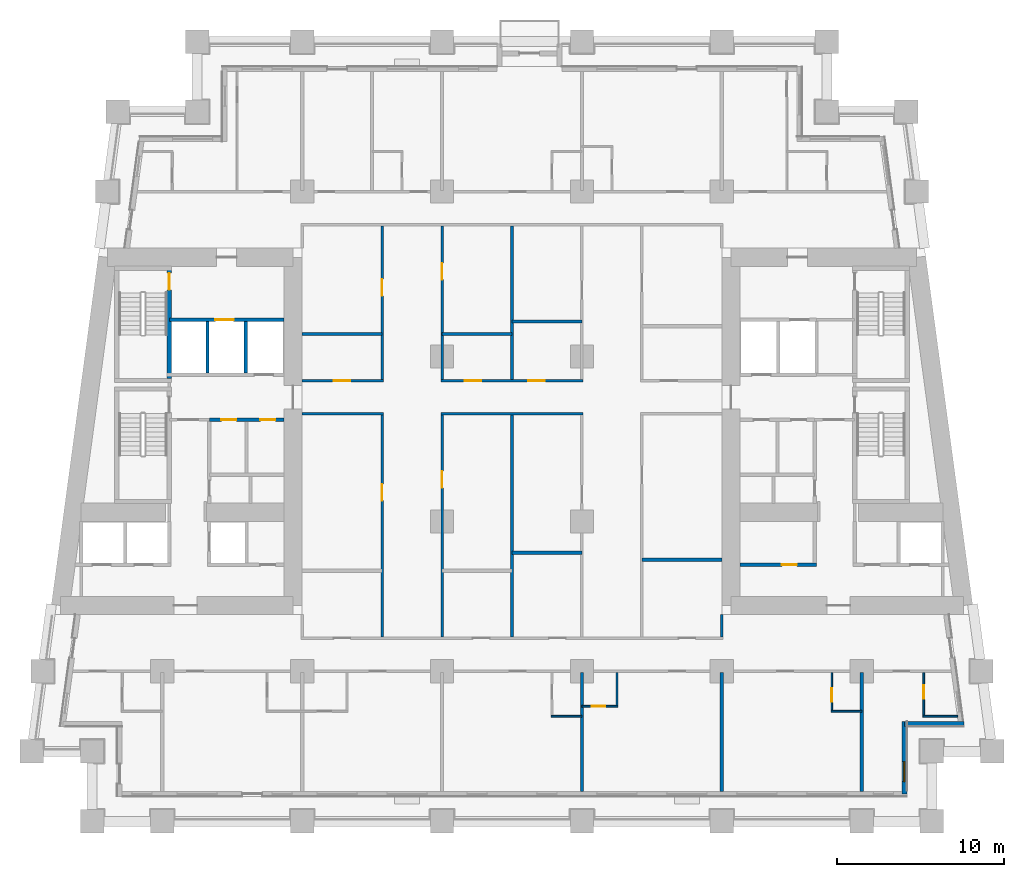
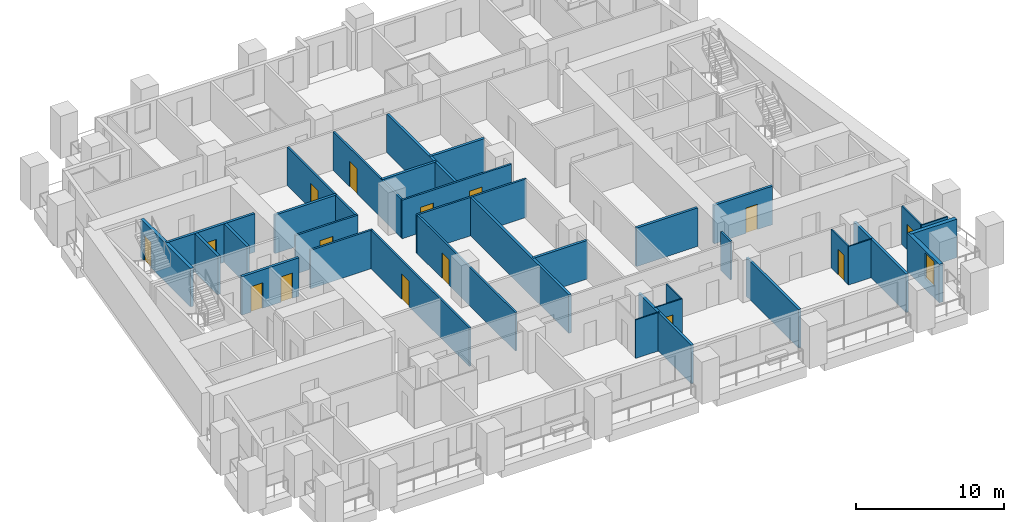
# One storey, part 4 of 13: 34 walls, 15 doors, 1 window, 16 openings.
"""IFC4 building model written with IfcOpenShell, lengths in metres."""

import ifcopenshell
import ifcopenshell.guid

model = None  # the IFC model being written
_history = None  # IfcOwnerHistory: only IFC2X3 demands one
_inside = {}  # id of a spatial element -> (the spatial element, [elements in it])
_under = {}  # id of a project, library or spatial element -> (it, [spatial elements below it])
_declared = {}  # id of a project -> (the project, [libraries it declares])
_typed = {}  # id of a type object -> (the type object, [elements of that type])
_made_of = {}  # id of a material, layer set ... -> (it, [elements and type objects made of it])


def new_model(schema):
    """Start an empty IFC model of exactly this schema.

    Asked for "IFC4X3", IfcOpenShell would pick the latest addendum, in which some entities
    have other attributes; the version numbers below select the first issue.
    IFC2X3 requires an IfcOwnerHistory on every rooted entity: one is made here for all.
    """
    global model, _history
    if schema == "IFC4X3":
        model = ifcopenshell.file(schema_version=(4, 3, 0, 0))
    else:
        model = ifcopenshell.file(schema=schema)
    _inside.clear()
    _under.clear()
    _declared.clear()
    _typed.clear()
    _made_of.clear()
    _history = None
    if model.schema == "IFC2X3":
        org = make("IfcOrganization", Name="unknown")
        user = make(
            "IfcPersonAndOrganization",
            ThePerson=make("IfcPerson", FamilyName="unknown"),
            TheOrganization=org,
        )
        app = make(
            "IfcApplication",
            ApplicationDeveloper=org,
            Version="unknown",
            ApplicationFullName="unknown",
            ApplicationIdentifier="unknown",
        )
        _history = make(
            "IfcOwnerHistory",
            OwningUser=user,
            OwningApplication=app,
            ChangeAction="ADDED",
            CreationDate=0,
        )
    return model


def make(cls, **values):
    """One entity of the class cls with the attributes given. An attribute that is None is left unset."""
    return model.create_entity(
        cls, **{name: value for name, value in values.items() if value is not None}
    )


def rooted(cls, **values):
    """An entity with a GlobalId (a new one), such as an element, a storey or a relation."""
    return make(cls, GlobalId=ifcopenshell.guid.new(), OwnerHistory=_history, **values)


def si_unit(unit_type, name, prefix=None):
    """IfcSIUnit, for example si_unit("LENGTHUNIT", "METRE", prefix="MILLI")."""
    return make("IfcSIUnit", UnitType=unit_type, Prefix=prefix, Name=name)


def assignment(units):
    """IfcUnitAssignment: the units of a project."""
    return None if units is None else make("IfcUnitAssignment", Units=units)


def point(xyz):
    """IfcCartesianPoint."""
    return None if xyz is None else make("IfcCartesianPoint", Coordinates=xyz)


def direction(xyz):
    """IfcDirection."""
    return None if xyz is None else make("IfcDirection", DirectionRatios=xyz)


def frame(location, z_axis=None, x_axis=None):
    """IfcAxis2Placement3D, a coordinate frame: its origin and axes. An axis left out is left unset."""
    return make(
        "IfcAxis2Placement3D",
        Location=point(location),
        Axis=direction(z_axis),
        RefDirection=direction(x_axis),
    )


def frame_2d(location, x_axis=None):
    """IfcAxis2Placement2D, a coordinate frame in the plane: its origin and x axis."""
    return make(
        "IfcAxis2Placement2D", Location=point(location), RefDirection=direction(x_axis)
    )


def origin():
    """The frame at (0, 0, 0) with its axes left unset."""
    return frame((0.0, 0.0, 0.0))


def place(relative_to, where):
    """IfcLocalPlacement: puts the frame where relative to a parent placement (None: the world)."""
    return make(
        "IfcLocalPlacement", PlacementRelTo=relative_to, RelativePlacement=where
    )


def context(
    kind, dimensions, precision=None, world=None, true_north=None, identifier=None
):
    """IfcGeometricRepresentationContext, for example the 3D "Model" context."""
    return make(
        "IfcGeometricRepresentationContext",
        ContextIdentifier=identifier,
        ContextType=kind,
        CoordinateSpaceDimension=dimensions,
        Precision=precision,
        WorldCoordinateSystem=world,
        TrueNorth=true_north,
    )


def subcontext(parent, identifier, kind, view, scale=None):
    """IfcGeometricRepresentationSubContext, for example "Body" below "Model"."""
    return make(
        "IfcGeometricRepresentationSubContext",
        ContextIdentifier=identifier,
        ContextType=kind,
        ParentContext=parent,
        TargetScale=scale,
        TargetView=view,
    )


def project(units=None, contexts=None):
    """IfcProject with its units and contexts."""
    return rooted(
        "IfcProject",
        Name="project",
        RepresentationContexts=contexts,
        UnitsInContext=assignment(units),
    )


def spatial(cls, under=None, at=None, **own):
    """A site, building, storey or space (cls), placed at a placement, below another one or the project."""
    s = rooted(cls, ObjectPlacement=at, **own)
    if under is not None:
        _under.setdefault(under.id(), (under, []))[1].append(s)
    return s


def profile(cls, at=None, kind="AREA", **sizes):
    """A parametric profile (cls). Its sizes go by their IFC names, for example OverallWidth=200.0."""
    return make(cls, ProfileType=kind, Position=at, **sizes)


def rectangle(**sizes):
    """IfcRectangleProfileDef."""
    return profile("IfcRectangleProfileDef", **sizes)


def extrude(swept, where, along, depth):
    """IfcExtrudedAreaSolid: the profile swept, set in the frame where, extruded along a direction by depth."""
    return make(
        "IfcExtrudedAreaSolid",
        SweptArea=swept,
        Position=where,
        ExtrudedDirection=direction(along),
        Depth=depth,
    )


def shape(context_of_items, identifier, shape_type, items):
    """IfcShapeRepresentation: the items that make up one representation, for example the "Body"."""
    return make(
        "IfcShapeRepresentation",
        ContextOfItems=context_of_items,
        RepresentationIdentifier=identifier,
        RepresentationType=shape_type,
        Items=items,
    )


def material(Name=None, Category=None):
    """IfcMaterial."""
    return make("IfcMaterial", Name=Name, Category=Category)


def layer(
    of_material, thickness, ventilated=None, Name=None, Category=None, Priority=None
):
    """IfcMaterialLayer: one layer of a wall or slab, of a material (None: an air gap)."""
    return make(
        "IfcMaterialLayer",
        Material=of_material,
        LayerThickness=thickness,
        IsVentilated=ventilated,
        Name=Name,
        Category=Category,
        Priority=Priority,
    )


def layer_set(layers, Name=None):
    """IfcMaterialLayerSet."""
    return make("IfcMaterialLayerSet", MaterialLayers=layers, LayerSetName=Name)


def made_of(thing, what):
    """Note that an element or type object is made of a material, layer set ...; save() writes the relation."""
    if what is not None:
        _made_of.setdefault(what.id(), (what, []))[1].append(thing)
    return thing


def type_object(cls, material=None, **own):
    """A type object (cls), such as IfcWallType, which elements share."""
    return made_of(rooted(cls, **own), material)


def element(
    cls,
    number,
    at=None,
    inside=None,
    cuts=None,
    type_object=None,
    material=None,
    context=None,
    identifier="Body",
    shape_type=None,
    held_by="IfcProductDefinitionShape",
    body=None,
    shapes=None,
    **own,
):
    """One element of the class cls, such as IfcWall. Its Tag is "e" and its number.

    at: its placement. inside: the storey or other place that contains it. cuts: it is an
    opening in that element (IfcRelVoidsElement). A single representation is given by context,
    identifier, shape_type and body (its items); several are given by shapes. held_by: the class
    of the entity that holds the representations. save() writes the other relations.
    """
    e = rooted(cls, Tag="e%d" % number, ObjectPlacement=at, **own)
    if body is not None:
        shapes = [shape(context, identifier, shape_type, body)]
    if shapes is not None:
        e.Representation = make(held_by, Representations=shapes)
    if inside is not None:
        _inside.setdefault(inside.id(), (inside, []))[1].append(e)
    if cuts is not None:
        rooted(
            "IfcRelVoidsElement", RelatingBuildingElement=cuts, RelatedOpeningElement=e
        )
    if type_object is not None:
        _typed.setdefault(type_object.id(), (type_object, []))[1].append(e)
    return made_of(e, material)


def fill(opening, filler):
    """IfcRelFillsElement: the door or window that sits in an opening."""
    return rooted(
        "IfcRelFillsElement",
        RelatingOpeningElement=opening,
        RelatedBuildingElement=filler,
    )


def aggregate(whole, parts):
    """IfcRelAggregates: a whole, such as a stair, and the parts it consists of."""
    return rooted("IfcRelAggregates", RelatingObject=whole, RelatedObjects=parts)


def save(model, path):
    """Write the relations noted so far, then the file.

    IfcRelAggregates (storeys below a building ...), IfcRelContainedInSpatialStructure (elements
    in a storey), IfcRelDefinesByType, IfcRelAssociatesMaterial and IfcRelDeclares: one each for
    every whole, place, type object, material and project.
    """
    for whole, parts in _under.values():
        aggregate(whole, parts)
    for where, things in _inside.values():
        rooted(
            "IfcRelContainedInSpatialStructure",
            RelatedElements=things,
            RelatingStructure=where,
        )
    for kind, things in _typed.values():
        rooted("IfcRelDefinesByType", RelatedObjects=things, RelatingType=kind)
    for what, things in _made_of.values():
        rooted("IfcRelAssociatesMaterial", RelatedObjects=things, RelatingMaterial=what)
    for by, libraries in _declared.values():
        rooted("IfcRelDeclares", RelatingContext=by, RelatedDefinitions=libraries)
    model.write(path)


model = new_model("IFC4")

# Units and contexts
model_context = context("Model", 3, precision=1e-05, world=origin(), true_north=direction((0.0, 1.0)))
body_context = subcontext(model_context, "Body", "Model", "MODEL_VIEW")
ifc_project = project(units=[si_unit("LENGTHUNIT", "METRE"), si_unit("AREAUNIT", "SQUARE_METRE"), si_unit("VOLUMEUNIT", "CUBIC_METRE"), si_unit("PLANEANGLEUNIT", "RADIAN"), si_unit("MASSUNIT", "GRAM", prefix="KILO")], contexts=[model_context])

# Site, building, storey
site_placement = place(None, origin())
site = spatial("IfcSite", under=ifc_project, at=site_placement, CompositionType="ELEMENT")
building_placement = place(site_placement, origin())
building = spatial("IfcBuilding", under=site, at=building_placement, Name="Candeia Pilgrim Tower and Theatre", CompositionType="ELEMENT")
storey_placement = place(building_placement, frame((0.0, 0.0, 56.5)))
storey = spatial("IfcBuildingStorey", under=building, at=storey_placement, Name="L11", CompositionType="ELEMENT", Elevation=56.5)

# Wall, opening, window
ifc_material_1 = material(Name="Ceramic block masonry", Category="masonry")
ifc_layer_1 = layer(ifc_material_1, 0.300048828125)
ifc_layer_set_1 = layer_set([ifc_layer_1], Name="EW1 glazing-line wall 300")
wall_type_1 = type_object("IfcWallType", Name="EW1 glazing-line wall 300", PredefinedType="SOLIDWALL", material=ifc_layer_set_1)
wall_1_placement = place(storey_placement, frame((136.949951171875, 99.64990234375, 0.0), z_axis=(0.0, 0.0, 1.0), x_axis=(0.0, 1.0, 0.0)))
wall_1 = element("IfcWall", 1, at=wall_1_placement, inside=storey, type_object=wall_type_1, Name="External wall L11-1.0", PredefinedType="SOLIDWALL", context=body_context, shape_type="SweptSolid", body=[
    extrude(rectangle(XDim=4.35009765625, YDim=0.300048828125, at=frame_2d((2.175048828125, 0.0))), origin(), (0.0, 0.0, 1.0), 3.179931640625),
])
opening_1_placement = place(wall_1_placement, frame((0.72509765625, 0.0, 0.89990234375)))
opening_1 = element("IfcOpeningElement", 2, at=opening_1_placement, cuts=wall_1, Name="Opening W-B", PredefinedType="OPENING", context=body_context, shape_type="SweptSolid", body=[
    extrude(rectangle(XDim=1.199951171875, YDim=2.10009765625, at=frame_2d((0.60009765625, 1.050048828125))), frame((0.0, 0.16015625, 0.0), z_axis=(0.0, -1.0, 0.0), x_axis=(1.0, 0.0, 0.0)), (0.0, 0.0, 1.0), 0.320068359375),
])
ifc_material_2 = material(Name="Aluminium framed double glazing", Category="aluminium")
window_type = type_object("IfcWindowType", Name="W-B window 1200x2100", PartitioningType="SINGLE_PANEL", PredefinedType="WINDOW", material=ifc_material_2)
window_placement = place(opening_1_placement, origin())
window = element("IfcWindow", 3, at=window_placement, inside=storey, type_object=window_type, Name="Window W-B L11", OverallHeight=2.10009765625, OverallWidth=1.199951171875, PartitioningType="SINGLE_PANEL", PredefinedType="WINDOW", context=body_context, shape_type="SweptSolid", body=[
    extrude(rectangle(XDim=1.199951171875, YDim=2.10009765625, at=frame_2d((0.60009765625, 1.050048828125))), frame((0.0, 0.030029296875, 0.0), z_axis=(0.0, -1.0, 0.0), x_axis=(1.0, 0.0, 0.0)), (0.0, 0.0, 1.0), 0.06005859375),
])
fill(opening_1, window)

# Walls
wall_2_placement = place(storey_placement, frame((136.949951171875, 103.85009765625, 0.0), z_axis=(0.0, 0.0, 1.0), x_axis=(1.0, 0.0, 0.0)))
element("IfcWall", 4, at=wall_2_placement, inside=storey, type_object=wall_type_1, Name="External wall L11-2.0", PredefinedType="SOLIDWALL", context=body_context, shape_type="SweptSolid", body=[
    extrude(rectangle(XDim=3.569091796875, YDim=0.300048828125, at=frame_2d((1.78466796875, 0.0))), origin(), (0.0, 0.0, 1.0), 3.179931640625),
])
ifc_material_3 = material(Name="Gypsum board partition on steel studs", Category="steel")
ifc_layer_2 = layer(ifc_material_3, 0.10009765625)
ifc_layer_set_2 = layer_set([ifc_layer_2], Name="PW-100 room partition")
wall_type_2 = type_object("IfcWallType", Name="PW-100 room partition", PredefinedType="PARTITIONING", material=ifc_layer_set_2)
wall_3_placement = place(storey_placement, frame((115.75, 104.300048828125, 0.0), z_axis=(0.0, 0.0, 1.0), x_axis=(1.0, 0.0, 0.0)))
element("IfcWall", 5, at=wall_3_placement, inside=storey, type_object=wall_type_2, Name="Room partition L11-001", PredefinedType="PARTITIONING", context=body_context, shape_type="SweptSolid", body=[
    extrude(rectangle(XDim=1.85009765625, YDim=0.10009765625, at=frame_2d((0.925048828125, 0.0))), origin(), (0.0, 0.0, 1.0), 3.179931640625),
])
wall_4_placement = place(storey_placement, frame((138.070068359375, 104.300048828125, 0.0), z_axis=(0.0, 0.0, 1.0), x_axis=(1.0, 0.0, 0.0)))
element("IfcWall", 6, at=wall_4_placement, inside=storey, type_object=wall_type_2, Name="Room partition L11-002", PredefinedType="PARTITIONING", context=body_context, shape_type="SweptSolid", body=[
    extrude(rectangle(XDim=2.07568359375, YDim=0.10009765625, at=frame_2d((1.037841796875, 0.0))), origin(), (0.0, 0.0, 1.0), 3.179931640625),
])
wall_5_placement = place(storey_placement, frame((132.550048828125, 104.60009765625, 0.0), z_axis=(0.0, 0.0, 1.0), x_axis=(1.0, 0.0, 0.0)))
element("IfcWall", 7, at=wall_5_placement, inside=storey, type_object=wall_type_2, Name="Room partition L11-005", PredefinedType="PARTITIONING", context=body_context, shape_type="SweptSolid", body=[
    extrude(rectangle(XDim=1.849853515625, YDim=0.10009765625, at=frame_2d((0.9248046875, 0.0))), origin(), (0.0, 0.0, 1.0), 3.179931640625),
])

# Wall, opening, door
wall_6_placement = place(storey_placement, frame((117.60009765625, 104.89990234375, 0.0), z_axis=(0.0, 0.0, 1.0), x_axis=(1.0, 0.0, 0.0)))
wall_6 = element("IfcWall", 8, at=wall_6_placement, inside=storey, type_object=wall_type_2, Name="Room partition L11-006", PredefinedType="PARTITIONING", context=body_context, shape_type="SweptSolid", body=[
    extrude(rectangle(XDim=2.14990234375, YDim=0.10009765625, at=frame_2d((1.074951171875, 0.0))), origin(), (0.0, 0.0, 1.0), 3.179931640625),
])
opening_2_placement = place(wall_6_placement, frame((0.590087890625, 0.0, 0.0)))
opening_2 = element("IfcOpeningElement", 9, at=opening_2_placement, cuts=wall_6, Name="Opening L11-D025", PredefinedType="OPENING", context=body_context, shape_type="SweptSolid", body=[
    extrude(rectangle(XDim=0.800048828125, YDim=2.10009765625, at=frame_2d((0.39990234375, 1.050048828125))), frame((0.0, 0.06005859375, 0.0), z_axis=(0.0, -1.0, 0.0), x_axis=(1.0, 0.0, 0.0)), (0.0, 0.0, 1.0), 0.1201171875),
])
ifc_material_4 = material(Name="Timber door leaf", Category="wood")
door_type_1 = type_object("IfcDoorType", Name="D-800", OperationType="NOTDEFINED", PredefinedType="DOOR", material=ifc_material_4)
door_1_placement = place(opening_2_placement, origin())
door_1 = element("IfcDoor", 10, at=door_1_placement, inside=storey, type_object=door_type_1, Name="Door L11-D025", OperationType="SINGLE_SWING_RIGHT", OverallHeight=2.10009765625, OverallWidth=0.800048828125, PredefinedType="DOOR", context=body_context, shape_type="SweptSolid", body=[
    extrude(rectangle(XDim=0.800048828125, YDim=2.10009765625, at=frame_2d((0.39990234375, 1.050048828125))), frame((0.0, 0.02490234375, 0.0), z_axis=(0.0, -1.0, 0.0), x_axis=(1.0, 0.0, 0.0)), (0.0, 0.0, 1.0), 0.050048828125),
])
fill(opening_2, door_1)

# Wall
wall_7_placement = place(storey_placement, frame((119.699951171875, 104.949951171875, 0.0), z_axis=(0.0, 0.0, 1.0), x_axis=(0.0, 1.0, 0.0)))
element("IfcWall", 11, at=wall_7_placement, inside=storey, type_object=wall_type_2, Name="Room partition L11-099", PredefinedType="PARTITIONING", context=body_context, shape_type="SweptSolid", body=[
    extrude(rectangle(XDim=1.97509765625, YDim=0.10009765625, at=frame_2d((0.987548828125, 0.0))), origin(), (0.0, 0.0, 1.0), 3.179931640625),
])

# Wall, opening, door
wall_8_placement = place(storey_placement, frame((132.60009765625, 104.64990234375, 0.0), z_axis=(0.0, 0.0, 1.0), x_axis=(0.0, 1.0, 0.0)))
wall_8 = element("IfcWall", 12, at=wall_8_placement, inside=storey, type_object=wall_type_2, Name="Room partition L11-115", PredefinedType="PARTITIONING", context=body_context, shape_type="SweptSolid", body=[
    extrude(rectangle(XDim=2.275146484375, YDim=0.10009765625, at=frame_2d((1.1376953125, 0.0))), origin(), (0.0, 0.0, 1.0), 3.179931640625),
])
opening_3_placement = place(wall_8_placement, frame((0.52490234375, 0.0, 0.0)))
opening_3 = element("IfcOpeningElement", 13, at=opening_3_placement, cuts=wall_8, Name="Opening L11-D027", PredefinedType="OPENING", context=body_context, shape_type="SweptSolid", body=[
    extrude(rectangle(XDim=0.800048828125, YDim=2.10009765625, at=frame_2d((0.39990234375, 1.050048828125))), frame((0.0, 0.06005859375, 0.0), z_axis=(0.0, -1.0, 0.0), x_axis=(1.0, 0.0, 0.0)), (0.0, 0.0, 1.0), 0.1201171875),
])
door_2_placement = place(opening_3_placement, origin())
door_2 = element("IfcDoor", 14, at=door_2_placement, inside=storey, type_object=door_type_1, Name="Door L11-D027", OperationType="SINGLE_SWING_RIGHT", OverallHeight=2.10009765625, OverallWidth=0.800048828125, PredefinedType="DOOR", context=body_context, shape_type="SweptSolid", body=[
    extrude(rectangle(XDim=0.800048828125, YDim=2.10009765625, at=frame_2d((0.39990234375, 1.050048828125))), frame((0.0, 0.02490234375, 0.0), z_axis=(0.0, -1.0, 0.0), x_axis=(1.0, 0.0, 0.0)), (0.0, 0.0, 1.0), 0.050048828125),
])
fill(opening_3, door_2)

wall_9_placement = place(storey_placement, frame((138.1201171875, 104.35009765625, 0.0), z_axis=(0.0, 0.0, 1.0), x_axis=(0.0, 1.0, 0.0)))
wall_9 = element("IfcWall", 15, at=wall_9_placement, inside=storey, type_object=wall_type_2, Name="Room partition L11-125", PredefinedType="PARTITIONING", context=body_context, shape_type="SweptSolid", body=[
    extrude(rectangle(XDim=2.574951171875, YDim=0.10009765625, at=frame_2d((1.28759765625, 0.0))), origin(), (0.0, 0.0, 1.0), 3.179931640625),
])
opening_4_placement = place(wall_9_placement, frame((1.02001953125, 0.0, 0.0)))
opening_4 = element("IfcOpeningElement", 16, at=opening_4_placement, cuts=wall_9, Name="Opening L11-D029", PredefinedType="OPENING", context=body_context, shape_type="SweptSolid", body=[
    extrude(rectangle(XDim=0.800048828125, YDim=2.10009765625, at=frame_2d((0.39990234375, 1.050048828125))), frame((0.0, 0.06005859375, 0.0), z_axis=(0.0, -1.0, 0.0), x_axis=(1.0, 0.0, 0.0)), (0.0, 0.0, 1.0), 0.1201171875),
])
door_3_placement = place(opening_4_placement, origin())
door_3 = element("IfcDoor", 17, at=door_3_placement, inside=storey, type_object=door_type_1, Name="Door L11-D029", OperationType="SINGLE_SWING_RIGHT", OverallHeight=2.10009765625, OverallWidth=0.800048828125, PredefinedType="DOOR", context=body_context, shape_type="SweptSolid", body=[
    extrude(rectangle(XDim=0.800048828125, YDim=2.10009765625, at=frame_2d((0.39990234375, 1.050048828125))), frame((0.0, 0.02490234375, 0.0), z_axis=(0.0, -1.0, 0.0), x_axis=(1.0, 0.0, 0.0)), (0.0, 0.0, 1.0), 0.050048828125),
])
fill(opening_4, door_3)

# Walls
ifc_layer_3 = layer(ifc_material_3, 0.14990234375)
ifc_layer_set_3 = layer_set([ifc_layer_3], Name="PW-150 unit wall")
wall_type_3 = type_object("IfcWallType", Name="PW-150 unit wall", PredefinedType="PARTITIONING", material=ifc_layer_set_3)
wall_10_placement = place(storey_placement, frame((100.800048828125, 122.449951171875, 0.0), z_axis=(0.0, 0.0, 1.0), x_axis=(1.0, 0.0, 0.0)))
element("IfcWall", 18, at=wall_10_placement, inside=storey, type_object=wall_type_3, Name="Unit wall L11-025", PredefinedType="PARTITIONING", context=body_context, shape_type="SweptSolid", body=[
    extrude(rectangle(XDim=4.875, YDim=0.14990234375, at=frame_2d((2.4375, 0.0))), origin(), (0.0, 0.0, 1.0), 3.179931640625),
])
wall_11_placement = place(storey_placement, frame((109.125, 122.449951171875, 0.0), z_axis=(0.0, 0.0, 1.0), x_axis=(1.0, 0.0, 0.0)))
element("IfcWall", 19, at=wall_11_placement, inside=storey, type_object=wall_type_3, Name="Unit wall L11-026", PredefinedType="PARTITIONING", context=body_context, shape_type="SweptSolid", body=[
    extrude(rectangle(XDim=8.550048828125, YDim=0.14990234375, at=frame_2d((4.27490234375, 0.0))), origin(), (0.0, 0.0, 1.0), 3.179931640625),
])

# Wall, opening, door
wall_12_placement = place(storey_placement, frame((100.800048828125, 124.449951171875, 0.0), z_axis=(0.0, 0.0, 1.0), x_axis=(1.0, 0.0, 0.0)))
wall_12 = element("IfcWall", 20, at=wall_12_placement, inside=storey, type_object=wall_type_3, Name="Unit wall L11-032", PredefinedType="PARTITIONING", context=body_context, shape_type="SweptSolid", body=[
    extrude(rectangle(XDim=4.875, YDim=0.14990234375, at=frame_2d((2.4375, 0.0))), origin(), (0.0, 0.0, 1.0), 3.179931640625),
])
opening_5_placement = place(wall_12_placement, frame((1.89990234375, 0.0, 0.0)))
opening_5 = element("IfcOpeningElement", 21, at=opening_5_placement, cuts=wall_12, Name="Opening L11-D045", PredefinedType="OPENING", context=body_context, shape_type="SweptSolid", body=[
    extrude(rectangle(XDim=1.0, YDim=2.10009765625, at=frame_2d((0.5, 1.050048828125))), frame((0.0, 0.0849609375, 0.0), z_axis=(0.0, -1.0, 0.0), x_axis=(1.0, 0.0, 0.0)), (0.0, 0.0, 1.0), 0.169921875),
])
ifc_material_5 = material(Name="Steel fire door set", Category="steel")
door_type_2 = type_object("IfcDoorType", Name="D-1000-FD30S", OperationType="NOTDEFINED", PredefinedType="DOOR", material=ifc_material_5)
door_4_placement = place(opening_5_placement, origin())
door_4 = element("IfcDoor", 22, at=door_4_placement, inside=storey, type_object=door_type_2, Name="Door L11-D045", OperationType="SINGLE_SWING_RIGHT", OverallHeight=2.10009765625, OverallWidth=1.0, PredefinedType="DOOR", context=body_context, shape_type="SweptSolid", body=[
    extrude(rectangle(XDim=1.0, YDim=2.10009765625, at=frame_2d((0.5, 1.050048828125))), frame((0.0, 0.02490234375, 0.0), z_axis=(0.0, -1.0, 0.0), x_axis=(1.0, 0.0, 0.0)), (0.0, 0.0, 1.0), 0.050048828125),
])
fill(opening_5, door_4)

# Wall, openings, doors
wall_13_placement = place(storey_placement, frame((109.125, 124.449951171875, 0.0), z_axis=(0.0, 0.0, 1.0), x_axis=(1.0, 0.0, 0.0)))
wall_13 = element("IfcWall", 23, at=wall_13_placement, inside=storey, type_object=wall_type_3, Name="Unit wall L11-033", PredefinedType="PARTITIONING", context=body_context, shape_type="SweptSolid", body=[
    extrude(rectangle(XDim=8.550048828125, YDim=0.14990234375, at=frame_2d((4.27490234375, 0.0))), origin(), (0.0, 0.0, 1.0), 3.179931640625),
])
opening_6_placement = place(wall_13_placement, frame((1.425048828125, 0.0, 0.0)))
opening_6 = element("IfcOpeningElement", 24, at=opening_6_placement, cuts=wall_13, Name="Opening L11-D049", PredefinedType="OPENING", context=body_context, shape_type="SweptSolid", body=[
    extrude(rectangle(XDim=1.0, YDim=2.10009765625, at=frame_2d((0.5, 1.050048828125))), frame((0.0, 0.0849609375, 0.0), z_axis=(0.0, -1.0, 0.0), x_axis=(1.0, 0.0, 0.0)), (0.0, 0.0, 1.0), 0.169921875),
])
opening_7_placement = place(wall_13_placement, frame((5.25, 0.0, 0.0)))
opening_7 = element("IfcOpeningElement", 25, at=opening_7_placement, cuts=wall_13, Name="Opening L11-D053", PredefinedType="OPENING", context=body_context, shape_type="SweptSolid", body=[
    extrude(rectangle(XDim=1.0, YDim=2.10009765625, at=frame_2d((0.5, 1.050048828125))), frame((0.0, 0.0849609375, 0.0), z_axis=(0.0, -1.0, 0.0), x_axis=(1.0, 0.0, 0.0)), (0.0, 0.0, 1.0), 0.169921875),
])
door_5_placement = place(opening_6_placement, origin())
door_5 = element("IfcDoor", 26, at=door_5_placement, inside=storey, type_object=door_type_2, Name="Door L11-D049", OperationType="SINGLE_SWING_RIGHT", OverallHeight=2.10009765625, OverallWidth=1.0, PredefinedType="DOOR", context=body_context, shape_type="SweptSolid", body=[
    extrude(rectangle(XDim=1.0, YDim=2.10009765625, at=frame_2d((0.5, 1.050048828125))), frame((0.0, 0.02490234375, 0.0), z_axis=(0.0, -1.0, 0.0), x_axis=(1.0, 0.0, 0.0)), (0.0, 0.0, 1.0), 0.050048828125),
])
fill(opening_6, door_5)
door_6_placement = place(opening_7_placement, origin())
door_6 = element("IfcDoor", 27, at=door_6_placement, inside=storey, type_object=door_type_2, Name="Door L11-D053", OperationType="SINGLE_SWING_RIGHT", OverallHeight=2.10009765625, OverallWidth=1.0, PredefinedType="DOOR", context=body_context, shape_type="SweptSolid", body=[
    extrude(rectangle(XDim=1.0, YDim=2.10009765625, at=frame_2d((0.5, 1.050048828125))), frame((0.0, 0.02490234375, 0.0), z_axis=(0.0, -1.0, 0.0), x_axis=(1.0, 0.0, 0.0)), (0.0, 0.0, 1.0), 0.050048828125),
])
fill(opening_7, door_6)

# Wall, opening, door
wall_14_placement = place(storey_placement, frame((105.60009765625, 109.074951171875, 0.0), z_axis=(0.0, 0.0, 1.0), x_axis=(0.0, 1.0, 0.0)))
wall_14 = element("IfcWall", 28, at=wall_14_placement, inside=storey, type_object=wall_type_3, Name="Unit wall L11-083", PredefinedType="PARTITIONING", context=body_context, shape_type="SweptSolid", body=[
    extrude(rectangle(XDim=13.300048828125, YDim=0.14990234375, at=frame_2d((6.64990234375, 0.0))), origin(), (0.0, 0.0, 1.0), 3.179931640625),
])
opening_8_placement = place(wall_14_placement, frame((8.1669921875, 0.0, 0.0)))
opening_8 = element("IfcOpeningElement", 29, at=opening_8_placement, cuts=wall_14, Name="Opening L11-D044", PredefinedType="OPENING", context=body_context, shape_type="SweptSolid", body=[
    extrude(rectangle(XDim=1.0, YDim=2.10009765625, at=frame_2d((0.5, 1.050048828125))), frame((0.0, 0.0849609375, 0.0), z_axis=(0.0, -1.0, 0.0), x_axis=(1.0, 0.0, 0.0)), (0.0, 0.0, 1.0), 0.169921875),
])
door_7_placement = place(opening_8_placement, origin())
door_7 = element("IfcDoor", 30, at=door_7_placement, inside=storey, type_object=door_type_2, Name="Door L11-D044", OperationType="SINGLE_SWING_LEFT", OverallHeight=2.10009765625, OverallWidth=1.0, PredefinedType="DOOR", context=body_context, shape_type="SweptSolid", body=[
    extrude(rectangle(XDim=1.0, YDim=2.10009765625, at=frame_2d((0.5, 1.050048828125))), frame((0.0, 0.02490234375, 0.0), z_axis=(0.0, -1.0, 0.0), x_axis=(1.0, 0.0, 0.0)), (0.0, 0.0, 1.0), 0.050048828125),
])
fill(opening_8, door_7)

wall_15_placement = place(storey_placement, frame((105.60009765625, 124.52490234375, 0.0), z_axis=(0.0, 0.0, 1.0), x_axis=(0.0, 1.0, 0.0)))
wall_15 = element("IfcWall", 31, at=wall_15_placement, inside=storey, type_object=wall_type_3, Name="Unit wall L11-084", PredefinedType="PARTITIONING", context=body_context, shape_type="SweptSolid", body=[
    extrude(rectangle(XDim=9.2001953125, YDim=0.14990234375, at=frame_2d((4.60009765625, 0.0))), origin(), (0.0, 0.0, 1.0), 3.179931640625),
])
opening_9_placement = place(wall_15_placement, frame((5.01806640625, 0.0, 0.0)))
opening_9 = element("IfcOpeningElement", 32, at=opening_9_placement, cuts=wall_15, Name="Opening L11-D046", PredefinedType="OPENING", context=body_context, shape_type="SweptSolid", body=[
    extrude(rectangle(XDim=1.0, YDim=2.10009765625, at=frame_2d((0.5, 1.050048828125))), frame((0.0, 0.0849609375, 0.0), z_axis=(0.0, -1.0, 0.0), x_axis=(1.0, 0.0, 0.0)), (0.0, 0.0, 1.0), 0.169921875),
])
door_8_placement = place(opening_9_placement, origin())
door_8 = element("IfcDoor", 33, at=door_8_placement, inside=storey, type_object=door_type_2, Name="Door L11-D046", OperationType="SINGLE_SWING_LEFT", OverallHeight=2.10009765625, OverallWidth=1.0, PredefinedType="DOOR", context=body_context, shape_type="SweptSolid", body=[
    extrude(rectangle(XDim=1.0, YDim=2.10009765625, at=frame_2d((0.5, 1.050048828125))), frame((0.0, 0.02490234375, 0.0), z_axis=(0.0, -1.0, 0.0), x_axis=(1.0, 0.0, 0.0)), (0.0, 0.0, 1.0), 0.050048828125),
])
fill(opening_9, door_8)

wall_16_placement = place(storey_placement, frame((109.199951171875, 109.074951171875, 0.0), z_axis=(0.0, 0.0, 1.0), x_axis=(0.0, 1.0, 0.0)))
wall_16 = element("IfcWall", 34, at=wall_16_placement, inside=storey, type_object=wall_type_3, Name="Unit wall L11-088", PredefinedType="PARTITIONING", context=body_context, shape_type="SweptSolid", body=[
    extrude(rectangle(XDim=13.300048828125, YDim=0.14990234375, at=frame_2d((6.64990234375, 0.0))), origin(), (0.0, 0.0, 1.0), 3.179931640625),
])
opening_10_placement = place(wall_16_placement, frame((8.93896484375, 0.0, 0.0)))
opening_10 = element("IfcOpeningElement", 35, at=opening_10_placement, cuts=wall_16, Name="Opening L11-D048", PredefinedType="OPENING", context=body_context, shape_type="SweptSolid", body=[
    extrude(rectangle(XDim=1.0, YDim=2.10009765625, at=frame_2d((0.5, 1.050048828125))), frame((0.0, 0.0849609375, 0.0), z_axis=(0.0, -1.0, 0.0), x_axis=(1.0, 0.0, 0.0)), (0.0, 0.0, 1.0), 0.169921875),
])
door_9_placement = place(opening_10_placement, origin())
door_9 = element("IfcDoor", 36, at=door_9_placement, inside=storey, type_object=door_type_2, Name="Door L11-D048", OperationType="SINGLE_SWING_LEFT", OverallHeight=2.10009765625, OverallWidth=1.0, PredefinedType="DOOR", context=body_context, shape_type="SweptSolid", body=[
    extrude(rectangle(XDim=1.0, YDim=2.10009765625, at=frame_2d((0.5, 1.050048828125))), frame((0.0, 0.02490234375, 0.0), z_axis=(0.0, -1.0, 0.0), x_axis=(1.0, 0.0, 0.0)), (0.0, 0.0, 1.0), 0.050048828125),
])
fill(opening_10, door_9)

wall_17_placement = place(storey_placement, frame((109.199951171875, 124.52490234375, 0.0), z_axis=(0.0, 0.0, 1.0), x_axis=(0.0, 1.0, 0.0)))
wall_17 = element("IfcWall", 37, at=wall_17_placement, inside=storey, type_object=wall_type_3, Name="Unit wall L11-089", PredefinedType="PARTITIONING", context=body_context, shape_type="SweptSolid", body=[
    extrude(rectangle(XDim=9.2001953125, YDim=0.14990234375, at=frame_2d((4.60009765625, 0.0))), origin(), (0.0, 0.0, 1.0), 3.179931640625),
])
opening_11_placement = place(wall_17_placement, frame((5.987060546875, 0.0, 0.0)))
opening_11 = element("IfcOpeningElement", 38, at=opening_11_placement, cuts=wall_17, Name="Opening L11-D050", PredefinedType="OPENING", context=body_context, shape_type="SweptSolid", body=[
    extrude(rectangle(XDim=1.0, YDim=2.10009765625, at=frame_2d((0.5, 1.050048828125))), frame((0.0, 0.0849609375, 0.0), z_axis=(0.0, -1.0, 0.0), x_axis=(1.0, 0.0, 0.0)), (0.0, 0.0, 1.0), 0.169921875),
])
door_10_placement = place(opening_11_placement, origin())
door_10 = element("IfcDoor", 39, at=door_10_placement, inside=storey, type_object=door_type_2, Name="Door L11-D050", OperationType="SINGLE_SWING_LEFT", OverallHeight=2.10009765625, OverallWidth=1.0, PredefinedType="DOOR", context=body_context, shape_type="SweptSolid", body=[
    extrude(rectangle(XDim=1.0, YDim=2.10009765625, at=frame_2d((0.5, 1.050048828125))), frame((0.0, 0.02490234375, 0.0), z_axis=(0.0, -1.0, 0.0), x_axis=(1.0, 0.0, 0.0)), (0.0, 0.0, 1.0), 0.050048828125),
])
fill(opening_11, door_10)

# Walls
wall_18_placement = place(storey_placement, frame((126.0, 109.074951171875, 0.0), z_axis=(0.0, 0.0, 1.0), x_axis=(0.0, 1.0, 0.0)))
element("IfcWall", 40, at=wall_18_placement, inside=storey, type_object=wall_type_3, Name="Unit wall L11-104", PredefinedType="PARTITIONING", context=body_context, shape_type="SweptSolid", body=[
    extrude(rectangle(XDim=1.324951171875, YDim=0.14990234375, at=frame_2d((0.66259765625, 0.0))), origin(), (0.0, 0.0, 1.0), 3.179931640625),
])
ifc_layer_4 = layer(ifc_material_3, 0.199951171875)
ifc_layer_set_4 = layer_set([ifc_layer_4], Name="PW-200 party wall")
wall_type_4 = type_object("IfcWallType", Name="PW-200 party wall", PredefinedType="PARTITIONING", material=ifc_layer_set_4)
wall_19_placement = place(storey_placement, frame((121.199951171875, 113.70751953125, 0.0), z_axis=(0.0, 0.0, 1.0), x_axis=(1.0, 0.0, 0.0)))
element("IfcWall", 41, at=wall_19_placement, inside=storey, type_object=wall_type_4, Name="Party wall L11-015", PredefinedType="PARTITIONING", context=body_context, shape_type="SweptSolid", body=[
    extrude(rectangle(XDim=4.800048828125, YDim=0.199951171875, at=frame_2d((2.39990234375, 0.0))), origin(), (0.0, 0.0, 1.0), 3.179931640625),
])
wall_20_placement = place(storey_placement, frame((113.39990234375, 114.111083984375, 0.0), z_axis=(0.0, 0.0, 1.0), x_axis=(1.0, 0.0, 0.0)))
element("IfcWall", 42, at=wall_20_placement, inside=storey, type_object=wall_type_4, Name="Party wall L11-016", PredefinedType="PARTITIONING", context=body_context, shape_type="SweptSolid", body=[
    extrude(rectangle(XDim=4.2001953125, YDim=0.199951171875, at=frame_2d((2.10009765625, 0.0))), origin(), (0.0, 0.0, 1.0), 3.179931640625),
])
wall_21_placement = place(storey_placement, frame((100.800048828125, 127.2548828125, 0.0), z_axis=(0.0, 0.0, 1.0), x_axis=(1.0, 0.0, 0.0)))
element("IfcWall", 43, at=wall_21_placement, inside=storey, type_object=wall_type_4, Name="Party wall L11-038", PredefinedType="PARTITIONING", context=body_context, shape_type="SweptSolid", body=[
    extrude(rectangle(XDim=4.800048828125, YDim=0.199951171875, at=frame_2d((2.39990234375, 0.0))), origin(), (0.0, 0.0, 1.0), 3.179931640625),
])
wall_22_placement = place(storey_placement, frame((109.199951171875, 127.2548828125, 0.0), z_axis=(0.0, 0.0, 1.0), x_axis=(1.0, 0.0, 0.0)))
element("IfcWall", 44, at=wall_22_placement, inside=storey, type_object=wall_type_4, Name="Party wall L11-039", PredefinedType="PARTITIONING", context=body_context, shape_type="SweptSolid", body=[
    extrude(rectangle(XDim=4.199951171875, YDim=0.199951171875, at=frame_2d((2.10009765625, 0.0))), origin(), (0.0, 0.0, 1.0), 3.179931640625),
])
wall_23_placement = place(storey_placement, frame((113.39990234375, 128.0029296875, 0.0), z_axis=(0.0, 0.0, 1.0), x_axis=(1.0, 0.0, 0.0)))
element("IfcWall", 45, at=wall_23_placement, inside=storey, type_object=wall_type_4, Name="Party wall L11-041", PredefinedType="PARTITIONING", context=body_context, shape_type="SweptSolid", body=[
    extrude(rectangle(XDim=4.2001953125, YDim=0.199951171875, at=frame_2d((2.10009765625, 0.0))), origin(), (0.0, 0.0, 1.0), 3.179931640625),
])
wall_24_placement = place(storey_placement, frame((113.39990234375, 109.074951171875, 0.0), z_axis=(0.0, 0.0, 1.0), x_axis=(0.0, 1.0, 0.0)))
element("IfcWall", 46, at=wall_24_placement, inside=storey, type_object=wall_type_4, Name="Party wall L11-090", PredefinedType="PARTITIONING", context=body_context, shape_type="SweptSolid", body=[
    extrude(rectangle(XDim=13.300048828125, YDim=0.199951171875, at=frame_2d((6.64990234375, 0.0))), origin(), (0.0, 0.0, 1.0), 3.179931640625),
])
wall_25_placement = place(storey_placement, frame((113.39990234375, 124.52490234375, 0.0), z_axis=(0.0, 0.0, 1.0), x_axis=(0.0, 1.0, 0.0)))
element("IfcWall", 47, at=wall_25_placement, inside=storey, type_object=wall_type_4, Name="Party wall L11-091", PredefinedType="PARTITIONING", context=body_context, shape_type="SweptSolid", body=[
    extrude(rectangle(XDim=9.2001953125, YDim=0.199951171875, at=frame_2d((4.60009765625, 0.0))), origin(), (0.0, 0.0, 1.0), 3.179931640625),
])
for number, where, z_axis, x_axis, name in (
    (48, (117.60009765625, 99.7900390625, 0.0), (0.0, 0.0, 1.0), (0.0, 1.0, 0.0), "Party wall L11-094"),
    (49, (126.0, 99.7900390625, 0.0), (0.0, 0.0, 1.0), (0.0, 1.0, 0.0), "Party wall L11-102"),
    (50, (134.39990234375, 99.7900390625, 0.0), (0.0, 0.0, 1.0), (0.0, 1.0, 0.0), "Party wall L11-121"),
):
    element("IfcWall", number, at=place(storey_placement, frame(where, z_axis=z_axis, x_axis=x_axis)), inside=storey, type_object=wall_type_4, Name=name, PredefinedType="PARTITIONING", context=body_context, shape_type="SweptSolid", body=[
        extrude(rectangle(XDim=7.135009765625, YDim=0.199951171875, at=frame_2d((3.5673828125, 0.0))), origin(), (0.0, 0.0, 1.0), 3.179931640625),
    ])

# Wall, opening, door
ifc_material_6 = material(Name="Concrete C40/50", Category="concrete")
ifc_layer_5 = layer(ifc_material_6, 0.199951171875)
ifc_layer_set_5 = layer_set([ifc_layer_5], Name="SW-200 shaft wall")
wall_type_5 = type_object("IfcWallType", Name="SW-200 shaft wall", PredefinedType="PARTITIONING", material=ifc_layer_set_5)
wall_26_placement = place(storey_placement, frame((127.10009765625, 113.39990234375, 0.0), z_axis=(0.0, 0.0, 1.0), x_axis=(1.0, 0.0, 0.0)))
wall_26 = element("IfcWall", 51, at=wall_26_placement, inside=storey, type_object=wall_type_5, Name="Shaft wall L11-013", PredefinedType="PARTITIONING", context=body_context, shape_type="SweptSolid", body=[
    extrude(rectangle(XDim=4.572998046875, YDim=0.199951171875, at=frame_2d((2.28662109375, 0.0))), origin(), (0.0, 0.0, 1.0), 3.179931640625),
])
opening_12_placement = place(wall_26_placement, frame((2.5048828125, 0.0, 0.0)))
opening_12 = element("IfcOpeningElement", 52, at=opening_12_placement, cuts=wall_26, Name="Opening L11-D015", PredefinedType="OPENING", context=body_context, shape_type="SweptSolid", body=[
    extrude(rectangle(XDim=0.89990234375, YDim=2.10009765625, at=frame_2d((0.449951171875, 1.050048828125))), frame((0.0, 0.10986328125, 0.0), z_axis=(0.0, -1.0, 0.0), x_axis=(1.0, 0.0, 0.0)), (0.0, 0.0, 1.0), 0.219970703125),
])
door_type_3 = type_object("IfcDoorType", Name="D-900-FD60", OperationType="NOTDEFINED", PredefinedType="DOOR", material=ifc_material_5)
door_11_placement = place(opening_12_placement, origin())
door_11 = element("IfcDoor", 53, at=door_11_placement, inside=storey, type_object=door_type_3, Name="Door L11-D015", OperationType="SINGLE_SWING_RIGHT", OverallHeight=2.10009765625, OverallWidth=0.89990234375, PredefinedType="DOOR", context=body_context, shape_type="SweptSolid", body=[
    extrude(rectangle(XDim=0.89990234375, YDim=2.10009765625, at=frame_2d((0.449951171875, 1.050048828125))), frame((0.0, 0.02490234375, 0.0), z_axis=(0.0, -1.0, 0.0), x_axis=(1.0, 0.0, 0.0)), (0.0, 0.0, 1.0), 0.050048828125),
])
fill(opening_12, door_11)

# Wall, openings, doors
wall_27_placement = place(storey_placement, frame((95.22705078125, 122.10009765625, 0.0), z_axis=(0.0, 0.0, 1.0), x_axis=(1.0, 0.0, 0.0)))
wall_27 = element("IfcWall", 54, at=wall_27_placement, inside=storey, type_object=wall_type_5, Name="Shaft wall L11-021", PredefinedType="PARTITIONING", context=body_context, shape_type="SweptSolid", body=[
    extrude(rectangle(XDim=4.472900390625, YDim=0.199951171875, at=frame_2d((2.236328125, 0.0))), origin(), (0.0, 0.0, 1.0), 3.179931640625),
])
opening_13_placement = place(wall_27_placement, frame((0.73193359375, 0.0, 0.0)))
opening_13 = element("IfcOpeningElement", 55, at=opening_13_placement, cuts=wall_27, Name="Opening L11-D002", PredefinedType="OPENING", context=body_context, shape_type="SweptSolid", body=[
    extrude(rectangle(XDim=0.89990234375, YDim=2.10009765625, at=frame_2d((0.449951171875, 1.050048828125))), frame((0.0, 0.10986328125, 0.0), z_axis=(0.0, -1.0, 0.0), x_axis=(1.0, 0.0, 0.0)), (0.0, 0.0, 1.0), 0.219970703125),
])
opening_14_placement = place(wall_27_placement, frame((3.06396484375, 0.0, 0.0)))
opening_14 = element("IfcOpeningElement", 56, at=opening_14_placement, cuts=wall_27, Name="Opening L11-D003", PredefinedType="OPENING", context=body_context, shape_type="SweptSolid", body=[
    extrude(rectangle(XDim=0.89990234375, YDim=2.10009765625, at=frame_2d((0.449951171875, 1.050048828125))), frame((0.0, 0.10986328125, 0.0), z_axis=(0.0, -1.0, 0.0), x_axis=(1.0, 0.0, 0.0)), (0.0, 0.0, 1.0), 0.219970703125),
])
door_12_placement = place(opening_13_placement, origin())
door_12 = element("IfcDoor", 57, at=door_12_placement, inside=storey, type_object=door_type_3, Name="Door L11-D002", OperationType="SINGLE_SWING_LEFT", OverallHeight=2.10009765625, OverallWidth=0.89990234375, PredefinedType="DOOR", context=body_context, shape_type="SweptSolid", body=[
    extrude(rectangle(XDim=0.89990234375, YDim=2.10009765625, at=frame_2d((0.449951171875, 1.050048828125))), frame((0.0, 0.02490234375, 0.0), z_axis=(0.0, -1.0, 0.0), x_axis=(1.0, 0.0, 0.0)), (0.0, 0.0, 1.0), 0.050048828125),
])
fill(opening_13, door_12)
door_13_placement = place(opening_14_placement, origin())
door_13 = element("IfcDoor", 58, at=door_13_placement, inside=storey, type_object=door_type_3, Name="Door L11-D003", OperationType="SINGLE_SWING_RIGHT", OverallHeight=2.10009765625, OverallWidth=0.89990234375, PredefinedType="DOOR", context=body_context, shape_type="SweptSolid", body=[
    extrude(rectangle(XDim=0.89990234375, YDim=2.10009765625, at=frame_2d((0.449951171875, 1.050048828125))), frame((0.0, 0.02490234375, 0.0), z_axis=(0.0, -1.0, 0.0), x_axis=(1.0, 0.0, 0.0)), (0.0, 0.0, 1.0), 0.050048828125),
])
fill(opening_14, door_13)

# Wall, opening, door
wall_28_placement = place(storey_placement, frame((92.826904296875, 128.10009765625, 0.0), z_axis=(0.0, 0.0, 1.0), x_axis=(1.0, 0.0, 0.0)))
wall_28 = element("IfcWall", 59, at=wall_28_placement, inside=storey, type_object=wall_type_5, Name="Shaft wall L11-042", PredefinedType="PARTITIONING", context=body_context, shape_type="SweptSolid", body=[
    extrude(rectangle(XDim=6.873046875, YDim=0.199951171875, at=frame_2d((3.4365234375, 0.0))), origin(), (0.0, 0.0, 1.0), 3.179931640625),
])
opening_15_placement = place(wall_28_placement, frame((2.763916015625, 0.0, 0.0)))
opening_15 = element("IfcOpeningElement", 60, at=opening_15_placement, cuts=wall_28, Name="Opening L11-LD01", PredefinedType="OPENING", context=body_context, shape_type="SweptSolid", body=[
    extrude(rectangle(XDim=1.10009765625, YDim=2.10009765625, at=frame_2d((0.550048828125, 1.050048828125))), frame((0.0, 0.10986328125, 0.0), z_axis=(0.0, -1.0, 0.0), x_axis=(1.0, 0.0, 0.0)), (0.0, 0.0, 1.0), 0.219970703125),
])
ifc_material_7 = material(Name="Glazed aluminium landing door", Category="aluminium")
door_type_4 = type_object("IfcDoorType", Name="LD-1100-EI120", OperationType="SLIDING_TO_LEFT", PredefinedType="DOOR", material=ifc_material_7)
door_14_placement = place(opening_15_placement, origin())
door_14 = element("IfcDoor", 61, at=door_14_placement, inside=storey, type_object=door_type_4, Name="Landing door 01 L11", OperationType="SLIDING_TO_LEFT", OverallHeight=2.10009765625, OverallWidth=1.10009765625, PredefinedType="DOOR", context=body_context, shape_type="SweptSolid", body=[
    extrude(rectangle(XDim=1.10009765625, YDim=2.10009765625, at=frame_2d((0.550048828125, 1.050048828125))), frame((0.0, 0.02490234375, 0.0), z_axis=(0.0, -1.0, 0.0), x_axis=(1.0, 0.0, 0.0)), (0.0, 0.0, 1.0), 0.050048828125),
])
fill(opening_15, door_14)

# Walls
for number, where, z_axis, x_axis, name in (
    (62, (95.117919921875, 124.89990234375, 0.0), (0.0, 0.0, 1.0), (0.0, 1.0, 0.0), "Shaft wall L11-068"),
    (63, (97.408935546875, 124.89990234375, 0.0), (0.0, 0.0, 1.0), (0.0, 1.0, 0.0), "Shaft wall L11-072"),
):
    element("IfcWall", number, at=place(storey_placement, frame(where, z_axis=z_axis, x_axis=x_axis)), inside=storey, type_object=wall_type_5, Name=name, PredefinedType="PARTITIONING", context=body_context, shape_type="SweptSolid", body=[
        extrude(rectangle(XDim=3.10009765625, YDim=0.199951171875, at=frame_2d((1.550048828125, 0.0))), origin(), (0.0, 0.0, 1.0), 3.179931640625),
    ])

# Wall, opening, door
ifc_layer_6 = layer(ifc_material_6, 0.25)
ifc_layer_set_6 = layer_set([ifc_layer_6], Name="SW-250 stair wall")
wall_type_6 = type_object("IfcWallType", Name="SW-250 stair wall", PredefinedType="PARTITIONING", material=ifc_layer_set_6)
wall_29_placement = place(storey_placement, frame((92.826904296875, 124.574951171875, 0.0), z_axis=(0.0, 0.0, 1.0), x_axis=(0.0, 1.0, 0.0)))
wall_29 = element("IfcWall", 64, at=wall_29_placement, inside=storey, type_object=wall_type_6, Name="Stair wall L11-065", PredefinedType="PARTITIONING", context=body_context, shape_type="SweptSolid", body=[
    extrude(rectangle(XDim=6.755126953125, YDim=0.25, at=frame_2d((3.37744140625, 0.0))), origin(), (0.0, 0.0, 1.0), 3.179931640625),
])
opening_16_placement = place(wall_29_placement, frame((5.324951171875, 0.0, 0.0)))
opening_16 = element("IfcOpeningElement", 65, at=opening_16_placement, cuts=wall_29, Name="Opening L11-D005", PredefinedType="OPENING", context=body_context, shape_type="SweptSolid", body=[
    extrude(rectangle(XDim=1.0, YDim=2.10009765625, at=frame_2d((0.5, 1.050048828125))), frame((0.0, 0.135009765625, 0.0), z_axis=(0.0, -1.0, 0.0), x_axis=(1.0, 0.0, 0.0)), (0.0, 0.0, 1.0), 0.27001953125),
])
door_type_5 = type_object("IfcDoorType", Name="D-1000-FD60", OperationType="NOTDEFINED", PredefinedType="DOOR", material=ifc_material_5)
door_15_placement = place(opening_16_placement, origin())
door_15 = element("IfcDoor", 66, at=door_15_placement, inside=storey, type_object=door_type_5, Name="Door L11-D005", OperationType="SINGLE_SWING_RIGHT", OverallHeight=2.10009765625, OverallWidth=1.0, PredefinedType="DOOR", context=body_context, shape_type="SweptSolid", body=[
    extrude(rectangle(XDim=1.0, YDim=2.10009765625, at=frame_2d((0.5, 1.050048828125))), frame((0.0, 0.02490234375, 0.0), z_axis=(0.0, -1.0, 0.0), x_axis=(1.0, 0.0, 0.0)), (0.0, 0.0, 1.0), 0.050048828125),
])
fill(opening_16, door_15)

save(model, "model.ifc")
